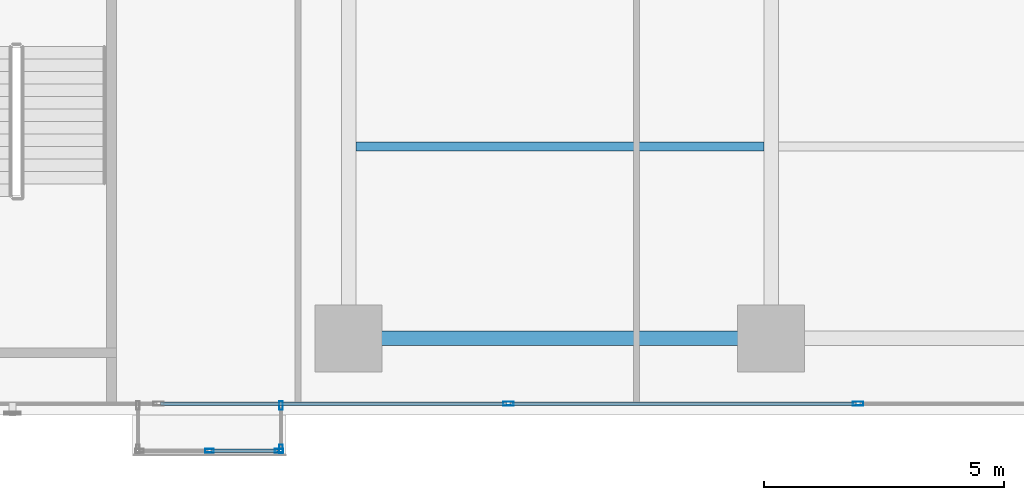
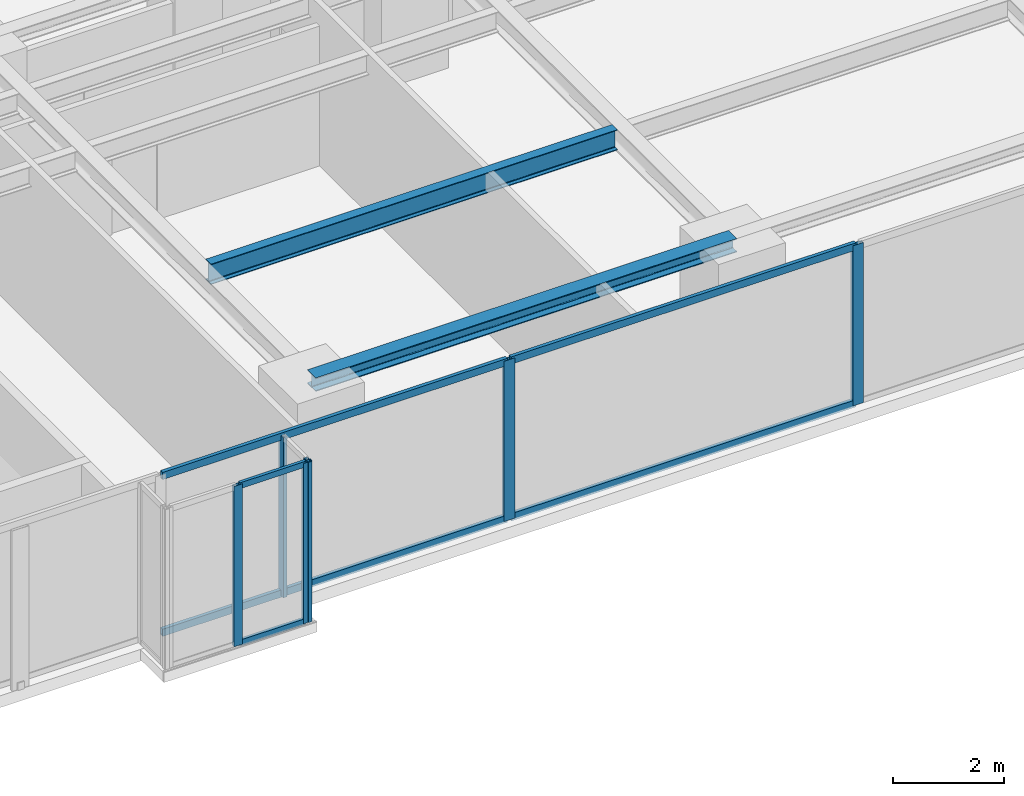
# One storey, part 12 of 29: 12 members, 2 beams, 3 elements without a shape of their own.
"""IFC4 building model written with IfcOpenShell, lengths in metres."""

import ifcopenshell
import ifcopenshell.guid

model = None  # the IFC model being written
_history = None  # IfcOwnerHistory: only IFC2X3 demands one
_inside = {}  # id of a spatial element -> (the spatial element, [elements in it])
_under = {}  # id of a project, library or spatial element -> (it, [spatial elements below it])
_declared = {}  # id of a project -> (the project, [libraries it declares])
_typed = {}  # id of a type object -> (the type object, [elements of that type])
_made_of = {}  # id of a material, layer set ... -> (it, [elements and type objects made of it])


def new_model(schema):
    """Start an empty IFC model of exactly this schema.

    Asked for "IFC4X3", IfcOpenShell would pick the latest addendum, in which some entities
    have other attributes; the version numbers below select the first issue.
    IFC2X3 requires an IfcOwnerHistory on every rooted entity: one is made here for all.
    """
    global model, _history
    if schema == "IFC4X3":
        model = ifcopenshell.file(schema_version=(4, 3, 0, 0))
    else:
        model = ifcopenshell.file(schema=schema)
    _inside.clear()
    _under.clear()
    _declared.clear()
    _typed.clear()
    _made_of.clear()
    _history = None
    if model.schema == "IFC2X3":
        org = make("IfcOrganization", Name="unknown")
        user = make(
            "IfcPersonAndOrganization",
            ThePerson=make("IfcPerson", FamilyName="unknown"),
            TheOrganization=org,
        )
        app = make(
            "IfcApplication",
            ApplicationDeveloper=org,
            Version="unknown",
            ApplicationFullName="unknown",
            ApplicationIdentifier="unknown",
        )
        _history = make(
            "IfcOwnerHistory",
            OwningUser=user,
            OwningApplication=app,
            ChangeAction="ADDED",
            CreationDate=0,
        )
    return model


def make(cls, **values):
    """One entity of the class cls with the attributes given. An attribute that is None is left unset."""
    return model.create_entity(
        cls, **{name: value for name, value in values.items() if value is not None}
    )


def rooted(cls, **values):
    """An entity with a GlobalId (a new one), such as an element, a storey or a relation."""
    return make(cls, GlobalId=ifcopenshell.guid.new(), OwnerHistory=_history, **values)


def si_unit(unit_type, name, prefix=None):
    """IfcSIUnit, for example si_unit("LENGTHUNIT", "METRE", prefix="MILLI")."""
    return make("IfcSIUnit", UnitType=unit_type, Prefix=prefix, Name=name)


def assignment(units):
    """IfcUnitAssignment: the units of a project."""
    return None if units is None else make("IfcUnitAssignment", Units=units)


def point(xyz):
    """IfcCartesianPoint."""
    return None if xyz is None else make("IfcCartesianPoint", Coordinates=xyz)


def direction(xyz):
    """IfcDirection."""
    return None if xyz is None else make("IfcDirection", DirectionRatios=xyz)


def frame(location, z_axis=None, x_axis=None):
    """IfcAxis2Placement3D, a coordinate frame: its origin and axes. An axis left out is left unset."""
    return make(
        "IfcAxis2Placement3D",
        Location=point(location),
        Axis=direction(z_axis),
        RefDirection=direction(x_axis),
    )


def frame_2d(location, x_axis=None):
    """IfcAxis2Placement2D, a coordinate frame in the plane: its origin and x axis."""
    return make(
        "IfcAxis2Placement2D", Location=point(location), RefDirection=direction(x_axis)
    )


def origin():
    """The frame at (0, 0, 0) with its axes left unset."""
    return frame((0.0, 0.0, 0.0))


def origin_with_axes():
    """The frame at (0, 0, 0) with the z axis (0, 0, 1) and the x axis (1, 0, 0) written out."""
    return frame((0.0, 0.0, 0.0), z_axis=(0.0, 0.0, 1.0), x_axis=(1.0, 0.0, 0.0))


def origin_2d():
    """The frame at (0, 0) in the plane with its x axis left unset."""
    return frame_2d((0.0, 0.0))


def place(relative_to, where):
    """IfcLocalPlacement: puts the frame where relative to a parent placement (None: the world)."""
    return make(
        "IfcLocalPlacement", PlacementRelTo=relative_to, RelativePlacement=where
    )


def context(
    kind, dimensions, precision=None, world=None, true_north=None, identifier=None
):
    """IfcGeometricRepresentationContext, for example the 3D "Model" context."""
    return make(
        "IfcGeometricRepresentationContext",
        ContextIdentifier=identifier,
        ContextType=kind,
        CoordinateSpaceDimension=dimensions,
        Precision=precision,
        WorldCoordinateSystem=world,
        TrueNorth=true_north,
    )


def subcontext(parent, identifier, kind, view, scale=None):
    """IfcGeometricRepresentationSubContext, for example "Body" below "Model"."""
    return make(
        "IfcGeometricRepresentationSubContext",
        ContextIdentifier=identifier,
        ContextType=kind,
        ParentContext=parent,
        TargetScale=scale,
        TargetView=view,
    )


def project(units=None, contexts=None):
    """IfcProject with its units and contexts."""
    return rooted(
        "IfcProject",
        Name="project",
        RepresentationContexts=contexts,
        UnitsInContext=assignment(units),
    )


def spatial(cls, under=None, at=None, **own):
    """A site, building, storey or space (cls), placed at a placement, below another one or the project."""
    s = rooted(cls, ObjectPlacement=at, **own)
    if under is not None:
        _under.setdefault(under.id(), (under, []))[1].append(s)
    return s


def profile(cls, at=None, kind="AREA", **sizes):
    """A parametric profile (cls). Its sizes go by their IFC names, for example OverallWidth=200.0."""
    return make(cls, ProfileType=kind, Position=at, **sizes)


def hollow_rectangle(**sizes):
    """IfcRectangleHollowProfileDef."""
    return profile("IfcRectangleHollowProfileDef", **sizes)


def i_section(**sizes):
    """IfcIShapeProfileDef."""
    return profile("IfcIShapeProfileDef", **sizes)


def extrude(swept, where, along, depth):
    """IfcExtrudedAreaSolid: the profile swept, set in the frame where, extruded along a direction by depth."""
    return make(
        "IfcExtrudedAreaSolid",
        SweptArea=swept,
        Position=where,
        ExtrudedDirection=direction(along),
        Depth=depth,
    )


def shape(context_of_items, identifier, shape_type, items):
    """IfcShapeRepresentation: the items that make up one representation, for example the "Body"."""
    return make(
        "IfcShapeRepresentation",
        ContextOfItems=context_of_items,
        RepresentationIdentifier=identifier,
        RepresentationType=shape_type,
        Items=items,
    )


def source(mapping_origin, context_of_items, identifier, shape_type, items):
    """IfcRepresentationMap: a shape defined once, which mapped items show again and again."""
    return make(
        "IfcRepresentationMap",
        MappingOrigin=mapping_origin,
        MappedRepresentation=shape(context_of_items, identifier, shape_type, items),
    )


def transform(
    local_origin,
    x_axis=None,
    y_axis=None,
    z_axis=None,
    scale=None,
    scale2=None,
    scale3=None,
    uniform=True,
):
    """IfcCartesianTransformationOperator3D, or its non-uniform kind. x_axis, y_axis, z_axis: its Axis1, 2, 3."""
    if uniform:
        return make(
            "IfcCartesianTransformationOperator3D",
            Axis1=direction(x_axis),
            Axis2=direction(y_axis),
            LocalOrigin=point(local_origin),
            Scale=scale,
            Axis3=direction(z_axis),
        )
    return make(
        "IfcCartesianTransformationOperator3DnonUniform",
        Axis1=direction(x_axis),
        Axis2=direction(y_axis),
        LocalOrigin=point(local_origin),
        Scale=scale,
        Axis3=direction(z_axis),
        Scale2=scale2,
        Scale3=scale3,
    )


def mapped(mapping_source, mapping_target):
    """IfcMappedItem: shows the shape of a source again, moved by a transform."""
    return make(
        "IfcMappedItem", MappingSource=mapping_source, MappingTarget=mapping_target
    )


def material(Name=None, Category=None):
    """IfcMaterial."""
    return make("IfcMaterial", Name=Name, Category=Category)


def layer(
    of_material, thickness, ventilated=None, Name=None, Category=None, Priority=None
):
    """IfcMaterialLayer: one layer of a wall or slab, of a material (None: an air gap)."""
    return make(
        "IfcMaterialLayer",
        Material=of_material,
        LayerThickness=thickness,
        IsVentilated=ventilated,
        Name=Name,
        Category=Category,
        Priority=Priority,
    )


def layer_set(layers, Name=None):
    """IfcMaterialLayerSet."""
    return make("IfcMaterialLayerSet", MaterialLayers=layers, LayerSetName=Name)


def material_profile(
    of_material, cross_section, Name=None, Category=None, Priority=None
):
    """IfcMaterialProfile: a cross section and its material."""
    return make(
        "IfcMaterialProfile",
        Name=Name,
        Material=of_material,
        Profile=cross_section,
        Priority=Priority,
        Category=Category,
    )


def profile_set(profiles, Name=None, composite=None):
    """IfcMaterialProfileSet."""
    return make(
        "IfcMaterialProfileSet",
        Name=Name,
        MaterialProfiles=profiles,
        CompositeProfile=composite,
    )


def made_of(thing, what):
    """Note that an element or type object is made of a material, layer set ...; save() writes the relation."""
    if what is not None:
        _made_of.setdefault(what.id(), (what, []))[1].append(thing)
    return thing


def type_object(cls, material=None, **own):
    """A type object (cls), such as IfcWallType, which elements share."""
    return made_of(rooted(cls, **own), material)


def element(
    cls,
    number,
    at=None,
    inside=None,
    cuts=None,
    type_object=None,
    material=None,
    context=None,
    identifier="Body",
    shape_type=None,
    held_by="IfcProductDefinitionShape",
    body=None,
    shapes=None,
    **own,
):
    """One element of the class cls, such as IfcWall. Its Tag is "e" and its number.

    at: its placement. inside: the storey or other place that contains it. cuts: it is an
    opening in that element (IfcRelVoidsElement). A single representation is given by context,
    identifier, shape_type and body (its items); several are given by shapes. held_by: the class
    of the entity that holds the representations. save() writes the other relations.
    """
    e = rooted(cls, Tag="e%d" % number, ObjectPlacement=at, **own)
    if body is not None:
        shapes = [shape(context, identifier, shape_type, body)]
    if shapes is not None:
        e.Representation = make(held_by, Representations=shapes)
    if inside is not None:
        _inside.setdefault(inside.id(), (inside, []))[1].append(e)
    if cuts is not None:
        rooted(
            "IfcRelVoidsElement", RelatingBuildingElement=cuts, RelatedOpeningElement=e
        )
    if type_object is not None:
        _typed.setdefault(type_object.id(), (type_object, []))[1].append(e)
    return made_of(e, material)


def aggregate(whole, parts):
    """IfcRelAggregates: a whole, such as a stair, and the parts it consists of."""
    return rooted("IfcRelAggregates", RelatingObject=whole, RelatedObjects=parts)


def save(model, path):
    """Write the relations noted so far, then the file.

    IfcRelAggregates (storeys below a building ...), IfcRelContainedInSpatialStructure (elements
    in a storey), IfcRelDefinesByType, IfcRelAssociatesMaterial and IfcRelDeclares: one each for
    every whole, place, type object, material and project.
    """
    for whole, parts in _under.values():
        aggregate(whole, parts)
    for where, things in _inside.values():
        rooted(
            "IfcRelContainedInSpatialStructure",
            RelatedElements=things,
            RelatingStructure=where,
        )
    for kind, things in _typed.values():
        rooted("IfcRelDefinesByType", RelatedObjects=things, RelatingType=kind)
    for what, things in _made_of.values():
        rooted("IfcRelAssociatesMaterial", RelatedObjects=things, RelatingMaterial=what)
    for by, libraries in _declared.values():
        rooted("IfcRelDeclares", RelatingContext=by, RelatedDefinitions=libraries)
    model.write(path)


model = new_model("IFC4")

# Units and contexts
model_context = context("Model", 3, precision=1e-05, world=origin(), true_north=direction((0.0, 1.0)))
body_context = subcontext(model_context, "Body", "Model", "MODEL_VIEW")
ifc_project = project(units=[si_unit("LENGTHUNIT", "METRE"), si_unit("AREAUNIT", "SQUARE_METRE"), si_unit("VOLUMEUNIT", "CUBIC_METRE"), si_unit("PLANEANGLEUNIT", "RADIAN"), si_unit("MASSUNIT", "GRAM", prefix="KILO")], contexts=[model_context])

# Site, building, storey
site_placement = place(None, origin())
site = spatial("IfcSite", under=ifc_project, at=site_placement, CompositionType="ELEMENT")
building_placement = place(site_placement, origin())
building = spatial("IfcBuilding", under=site, at=building_placement, Name="Kolvaren Waterfront Exchange", CompositionType="ELEMENT")
storey_placement = place(building_placement, frame((0.0, 0.0, 129.699951171875)))
storey = spatial("IfcBuildingStorey", under=building, at=storey_placement, Name="L33", CompositionType="ELEMENT", Elevation=129.699951171875)

# Beams
ifc_material_1 = material(Name="Steel S355", Category="steel")
ifc_material_profile_1 = material_profile(ifc_material_1, i_section(OverallWidth=0.300048828125, OverallDepth=0.300048828125, WebThickness=0.010986328125, FlangeThickness=0.01904296875, FilletRadius=0.027099609375, at=origin_2d()), Name="HEB300")
ifc_profile_set_1 = profile_set([ifc_material_profile_1], Name="Steel S355")
beam_type_1 = type_object("IfcBeamType", Name="STR-BM-HEB300", PredefinedType="SPANDREL", material=ifc_profile_set_1)
beam_1_placement = place(storey_placement, frame((36.800048828125, 5.199951171875, 3.39013671875), z_axis=(1.0, 0.0, 0.0), x_axis=(0.0, 1.0, 0.0)))
element("IfcBeam", 1, at=beam_1_placement, inside=storey, type_object=beam_type_1, Name="L33 east-arm spandrel S3", PredefinedType="SPANDREL", context=body_context, shape_type="SweptSolid", body=[
    extrude(i_section(OverallWidth=0.300048828125, OverallDepth=0.300048828125, WebThickness=0.010986328125, FlangeThickness=0.01904296875, FilletRadius=0.027099609375, at=origin_2d()), origin(), (0.0, 0.0, 1.0), 8.800048828125),
])
ifc_material_profile_2 = material_profile(ifc_material_1, i_section(OverallWidth=0.18994140625, OverallDepth=0.449951171875, WebThickness=0.009521484375, FlangeThickness=0.0146484375, FilletRadius=0.02099609375, at=origin_2d()), Name="IPE450")
ifc_profile_set_2 = profile_set([ifc_material_profile_2], Name="Steel S355")
beam_type_2 = type_object("IfcBeamType", Name="STR-BM-IPE450", PredefinedType="JOIST", material=ifc_profile_set_2)
beam_2_placement = place(storey_placement, frame((36.951904296875, 9.199951171875, 3.31494140625), z_axis=(1.0, 0.0, 0.0), x_axis=(0.0, 1.0, 0.0)))
element("IfcBeam", 2, at=beam_2_placement, inside=storey, type_object=beam_type_2, Name="L33 east-arm composite joist 3B", PredefinedType="JOIST", context=body_context, shape_type="SweptSolid", body=[
    extrude(i_section(OverallWidth=0.18994140625, OverallDepth=0.449951171875, WebThickness=0.009521484375, FlangeThickness=0.0146484375, FilletRadius=0.02099609375, at=origin_2d()), origin(), (0.0, 0.0, 1.0), 8.49609375),
])

# Curtain wall, members
ifc_material_2 = material(Name="Anodised bronze aluminium 6063-T6", Category="aluminium")
ifc_layer_1 = layer(ifc_material_2, 0.219970703125, Name="Anodised bronze aluminium 6063-T6")
ifc_layer_set_1 = layer_set([ifc_layer_1], Name="Anodised bronze aluminium 6063-T6")
curtain_wall_type_1 = type_object("IfcCurtainWallType", Name="ARC-CW-SYS3", PredefinedType="USERDEFINED", material=ifc_layer_set_1)
curtain_wall_1_placement = place(storey_placement, origin())
curtain_wall_1 = element("IfcCurtainWall", 3, at=curtain_wall_1_placement, inside=storey, type_object=curtain_wall_type_1, Name="L33 stick curtain wall CW3 (CW-L33-BOX)", ObjectType="STICK CURTAIN WALL", PredefinedType="USERDEFINED")
ifc_material_profile_3 = material_profile(ifc_material_2, hollow_rectangle(XDim=0.074951171875, YDim=0.179931640625, WallThickness=0.00439453125, at=origin_2d()), Name="ALU-MUL-180x75x4.5")
ifc_profile_set_3 = profile_set([ifc_material_profile_3], Name="Anodised bronze aluminium 6063-T6")
member_type_1 = type_object("IfcMemberType", Name="ARC-CWM-180", PredefinedType="MULLION", material=ifc_profile_set_3)
shared_shape_1 = source(origin_with_axes(), body_context, "Body", "SweptSolid", [
    extrude(hollow_rectangle(XDim=0.074951171875, YDim=0.179931640625, WallThickness=0.00439453125, at=origin_2d()), origin(), (0.0, 0.0, 1.0), 3.5400390625),
])
member_1_placement = place(storey_placement, frame((33.89990234375, 2.860107421875, 0.0), z_axis=(0.0, 0.0, 1.0), x_axis=(0.0, 1.0, 0.0)))
member_1 = element("IfcMember", 4, at=member_1_placement, type_object=member_type_1, Name="CW3 mullion 2", PredefinedType="MULLION", context=body_context, shape_type="MappedRepresentation", body=[
    mapped(shared_shape_1, transform((0.0, 0.0, 0.0), x_axis=(1.0, 0.0, 0.0), y_axis=(0.0, 1.0, 0.0), z_axis=(0.0, 0.0, 1.0), scale=1.0)),
])
member_2_placement = place(storey_placement, frame((35.3525390625, 2.860107421875, 0.0), z_axis=(0.0, 0.0, 1.0), x_axis=(0.0, 1.0, 0.0)))
member_2 = element("IfcMember", 5, at=member_2_placement, type_object=member_type_1, Name="CW3 mullion 3", PredefinedType="MULLION", context=body_context, shape_type="MappedRepresentation", body=[
    mapped(shared_shape_1, transform((0.0, 0.0, 0.0), x_axis=(1.0, 0.0, 0.0), y_axis=(0.0, 1.0, 0.0), z_axis=(0.0, 0.0, 1.0), scale=1.0)),
])

curtain_wall_2_placement = place(storey_placement, origin())
curtain_wall_2 = element("IfcCurtainWall", 6, at=curtain_wall_2_placement, inside=storey, type_object=curtain_wall_type_1, Name="L33 stick curtain wall CW3 (CW-L33-BOX-E)", ObjectType="STICK CURTAIN WALL", PredefinedType="USERDEFINED")
member_3_placement = place(storey_placement, frame((35.389892578125, 2.8974609375, 0.0), z_axis=(0.0, 0.0, 1.0), x_axis=(-1.0, 0.0, 0.0)))
member_3 = element("IfcMember", 7, at=member_3_placement, type_object=member_type_1, Name="CW3 mullion 1", PredefinedType="MULLION", context=body_context, shape_type="MappedRepresentation", body=[
    mapped(shared_shape_1, transform((0.0, 0.0, 0.0), x_axis=(1.0, 0.0, 0.0), y_axis=(0.0, 1.0, 0.0), z_axis=(0.0, 0.0, 1.0), scale=1.0)),
])
member_4_placement = place(storey_placement, frame((35.389892578125, 3.802490234375, 0.0), z_axis=(0.0, 0.0, 1.0), x_axis=(-1.0, 0.0, 0.0)))
member_4 = element("IfcMember", 8, at=member_4_placement, type_object=member_type_1, Name="CW3 mullion 2", PredefinedType="MULLION", context=body_context, shape_type="MappedRepresentation", body=[
    mapped(shared_shape_1, transform((0.0, 0.0, 0.0), x_axis=(1.0, 0.0, 0.0), y_axis=(0.0, 1.0, 0.0), z_axis=(0.0, 0.0, 1.0), scale=1.0)),
])
aggregate(curtain_wall_2, [member_3, member_4])

# Member
ifc_material_profile_4 = material_profile(ifc_material_2, hollow_rectangle(XDim=0.06494140625, YDim=0.1298828125, WallThickness=0.00390625, at=origin_2d()), Name="ALU-TRN-130x65x4")
ifc_profile_set_4 = profile_set([ifc_material_profile_4], Name="Anodised bronze aluminium 6063-T6")
member_type_2 = type_object("IfcMemberType", Name="ARC-CWT-130", PredefinedType="USERDEFINED", material=ifc_profile_set_4)
shared_shape_2 = source(origin_with_axes(), body_context, "Body", "SweptSolid", [
    extrude(hollow_rectangle(XDim=0.06494140625, YDim=0.1298828125, WallThickness=0.00390625, at=origin_2d()), origin(), (0.0, 0.0, 1.0), 1.37744140625),
])
member_5_placement = place(storey_placement, frame((33.9375, 2.860107421875, 0.032470703125), z_axis=(1.0, 0.0, 0.0), x_axis=(0.0, 1.0, 0.0)))
member_5 = element("IfcMember", 9, at=member_5_placement, type_object=member_type_2, Name="CW3 transom 2.1", ObjectType="TRANSOM", PredefinedType="USERDEFINED", context=body_context, shape_type="MappedRepresentation", body=[
    mapped(shared_shape_2, transform((0.0, 0.0, 0.0), x_axis=(1.0, 0.0, 0.0), y_axis=(0.0, 1.0, 0.0), z_axis=(0.0, 0.0, 1.0), scale=1.0)),
])

member_6_placement = place(storey_placement, frame((33.9375, 2.860107421875, 3.507568359375), z_axis=(1.0, 0.0, 0.0), x_axis=(0.0, 1.0, 0.0)))
member_6 = element("IfcMember", 10, at=member_6_placement, type_object=member_type_2, Name="CW3 transom 2.2", ObjectType="TRANSOM", PredefinedType="USERDEFINED", context=body_context, shape_type="MappedRepresentation", body=[
    mapped(shared_shape_2, transform((0.0, 0.0, 0.0), x_axis=(1.0, 0.0, 0.0), y_axis=(0.0, 1.0, 0.0), z_axis=(0.0, 0.0, 1.0), scale=1.0)),
])

aggregate(curtain_wall_1, [member_1, member_2, member_5, member_6])

# Curtain wall, members
ifc_layer_2 = layer(ifc_material_2, 0.219970703125, Name="Anodised bronze aluminium 6063-T6")
ifc_layer_set_2 = layer_set([ifc_layer_2], Name="Anodised bronze aluminium 6063-T6")
curtain_wall_type_2 = type_object("IfcCurtainWallType", Name="ARC-CW-SYS1", PredefinedType="USERDEFINED", material=ifc_layer_set_2)
curtain_wall_3_placement = place(storey_placement, origin())
curtain_wall_3 = element("IfcCurtainWall", 11, at=curtain_wall_3_placement, inside=storey, type_object=curtain_wall_type_2, Name="L33 stick curtain wall CW1 (CW-L33-S)", ObjectType="STICK CURTAIN WALL", PredefinedType="USERDEFINED")
ifc_material_3 = material(Name="Anodised aluminium 6063-T6", Category="aluminium")
ifc_material_profile_5 = material_profile(ifc_material_3, hollow_rectangle(XDim=0.080078125, YDim=0.219970703125, WallThickness=0.0048828125, at=origin_2d()), Name="ALU-MUL-220x80x5")
ifc_profile_set_5 = profile_set([ifc_material_profile_5], Name="Anodised aluminium 6063-T6")
member_type_3 = type_object("IfcMemberType", Name="ARC-CWM-220", PredefinedType="MULLION", material=ifc_profile_set_5)
shared_shape_3 = source(origin_with_axes(), body_context, "Body", "SweptSolid", [
    extrude(hollow_rectangle(XDim=0.080078125, YDim=0.219970703125, WallThickness=0.0048828125, at=origin_2d()), origin(), (0.0, 0.0, 1.0), 3.5400390625),
])
member_7_placement = place(storey_placement, frame((40.128662109375, 3.840087890625, 0.0), z_axis=(0.0, 0.0, 1.0), x_axis=(0.0, 1.0, 0.0)))
member_7 = element("IfcMember", 12, at=member_7_placement, type_object=member_type_3, Name="CW1 mullion 6", PredefinedType="MULLION", context=body_context, shape_type="MappedRepresentation", body=[
    mapped(shared_shape_3, transform((0.0, 0.0, 0.0), x_axis=(1.0, 0.0, 0.0), y_axis=(0.0, 1.0, 0.0), z_axis=(0.0, 0.0, 1.0), scale=1.0)),
])
member_8_placement = place(storey_placement, frame((47.414306640625, 3.840087890625, 0.0), z_axis=(0.0, 0.0, 1.0), x_axis=(0.0, 1.0, 0.0)))
member_8 = element("IfcMember", 13, at=member_8_placement, type_object=member_type_3, Name="CW1 mullion 7", PredefinedType="MULLION", context=body_context, shape_type="MappedRepresentation", body=[
    mapped(shared_shape_3, transform((0.0, 0.0, 0.0), x_axis=(1.0, 0.0, 0.0), y_axis=(0.0, 1.0, 0.0), z_axis=(0.0, 0.0, 1.0), scale=1.0)),
])
ifc_material_profile_6 = material_profile(ifc_material_3, hollow_rectangle(XDim=0.074951171875, YDim=0.159912109375, WallThickness=0.00439453125, at=origin_2d()), Name="ALU-TRN-160x75x4.5")
ifc_profile_set_6 = profile_set([ifc_material_profile_6], Name="Anodised aluminium 6063-T6")
member_type_4 = type_object("IfcMemberType", Name="ARC-CWT-160", PredefinedType="USERDEFINED", material=ifc_profile_set_6)
shared_shape_4 = source(origin_with_axes(), body_context, "Body", "SweptSolid", [
    extrude(hollow_rectangle(XDim=0.074951171875, YDim=0.159912109375, WallThickness=0.00439453125, at=origin_2d()), origin(), (0.0, 0.0, 1.0), 7.205810546875),
])
member_9_placement = place(storey_placement, frame((32.8828125, 3.840087890625, 0.03759765625), z_axis=(1.0, 0.0, 0.0), x_axis=(0.0, 1.0, 0.0)))
member_9 = element("IfcMember", 14, at=member_9_placement, type_object=member_type_4, Name="CW1 transom 5.1", ObjectType="TRANSOM", PredefinedType="USERDEFINED", context=body_context, shape_type="MappedRepresentation", body=[
    mapped(shared_shape_4, transform((0.0, 0.0, 0.0), x_axis=(1.0, 0.0, 0.0), y_axis=(0.0, 1.0, 0.0), z_axis=(0.0, 0.0, 1.0), scale=1.0)),
])
member_10_placement = place(storey_placement, frame((32.8828125, 3.840087890625, 3.50244140625), z_axis=(1.0, 0.0, 0.0), x_axis=(0.0, 1.0, 0.0)))
member_10 = element("IfcMember", 15, at=member_10_placement, type_object=member_type_4, Name="CW1 transom 5.2", ObjectType="TRANSOM", PredefinedType="USERDEFINED", context=body_context, shape_type="MappedRepresentation", body=[
    mapped(shared_shape_4, transform((0.0, 0.0, 0.0), x_axis=(1.0, 0.0, 0.0), y_axis=(0.0, 1.0, 0.0), z_axis=(0.0, 0.0, 1.0), scale=1.0)),
])
member_11_placement = place(storey_placement, frame((40.16845703125, 3.840087890625, 0.03759765625), z_axis=(1.0, 0.0, 0.0), x_axis=(0.0, 1.0, 0.0)))
member_11 = element("IfcMember", 16, at=member_11_placement, type_object=member_type_4, Name="CW1 transom 6.1", ObjectType="TRANSOM", PredefinedType="USERDEFINED", context=body_context, shape_type="MappedRepresentation", body=[
    mapped(shared_shape_4, transform((0.0, 0.0, 0.0), x_axis=(1.0, 0.0, 0.0), y_axis=(0.0, 1.0, 0.0), z_axis=(0.0, 0.0, 1.0), scale=1.0)),
])
member_12_placement = place(storey_placement, frame((40.16845703125, 3.840087890625, 3.50244140625), z_axis=(1.0, 0.0, 0.0), x_axis=(0.0, 1.0, 0.0)))
member_12 = element("IfcMember", 17, at=member_12_placement, type_object=member_type_4, Name="CW1 transom 6.2", ObjectType="TRANSOM", PredefinedType="USERDEFINED", context=body_context, shape_type="MappedRepresentation", body=[
    mapped(shared_shape_4, transform((0.0, 0.0, 0.0), x_axis=(1.0, 0.0, 0.0), y_axis=(0.0, 1.0, 0.0), z_axis=(0.0, 0.0, 1.0), scale=1.0)),
])
aggregate(curtain_wall_3, [member_7, member_8, member_9, member_10, member_11, member_12])

save(model, "model.ifc")
